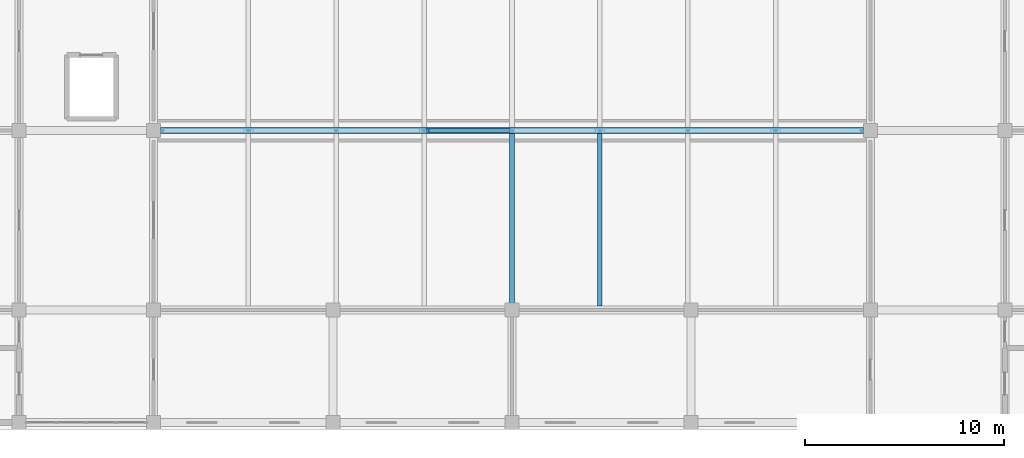
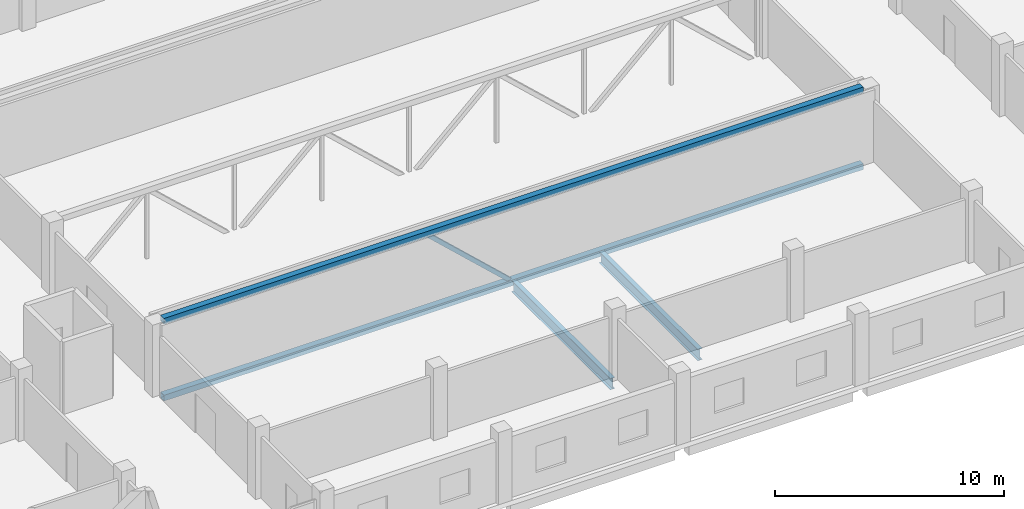
# One storey, part 7 of 42: 3 members, 2 beams.
"""IFC4 building model written with IfcOpenShell, lengths in metres."""

from ifc_helpers import new_model, si_unit, direction, frame, origin, origin_2d, place, context, subcontext, project, spatial, hollow_rectangle, i_section, extrude, material, material_profile, profile_set, type_object, element, save


model = new_model("IFC4")

# Units and contexts
model_context = context("Model", 3, precision=1e-05, world=origin(), true_north=direction((0.0, 1.0)))
body_context = subcontext(model_context, "Body", "Model", "MODEL_VIEW")
ifc_project = project(units=[si_unit("LENGTHUNIT", "METRE"), si_unit("AREAUNIT", "SQUARE_METRE"), si_unit("VOLUMEUNIT", "CUBIC_METRE"), si_unit("PLANEANGLEUNIT", "RADIAN"), si_unit("MASSUNIT", "GRAM", prefix="KILO")], contexts=[model_context])

# Site, building, storey
site_placement = place(None, origin())
site = spatial("IfcSite", under=ifc_project, at=site_placement, CompositionType="ELEMENT")
building_placement = place(site_placement, origin())
building = spatial("IfcBuilding", under=site, at=building_placement, Name="Corbel Stack Research Tower", CompositionType="ELEMENT")
storey_placement = place(building_placement, frame((0.0, 0.0, 11.300048828125)))
storey = spatial("IfcBuildingStorey", under=building, at=storey_placement, Name="L02", CompositionType="ELEMENT", Elevation=11.300048828125)

# Beams
ifc_material_1 = material(Name="Steel S355", Category="steel")
ifc_material_profile_1 = material_profile(ifc_material_1, i_section(OverallWidth=0.22802734375, OverallDepth=0.60302734375, WebThickness=0.010986328125, FlangeThickness=0.014892578125, at=origin_2d()), Name="W24x68")
ifc_profile_set_1 = profile_set([ifc_material_profile_1], Name="Steel S355")
beam_type = type_object("IfcBeamType", Name="HB2 steel beam W24x68", PredefinedType="BEAM", material=ifc_profile_set_1)
for number, where, z_axis, x_axis, name in (
    (1, (68.949951171875, -17.800048828125, -0.551513671875), (0.0, 1.0, 0.0), (-1.0, 0.0, 0.0), "Steel floor beam L02 bay 1 line 4"),
    (2, (73.362548828125, -17.800048828125, -0.551513671875), (0.0, 1.0, 0.0), (-1.0, 0.0, 0.0), "Steel floor beam L02 bay 1 line 5"),
):
    element("IfcBeam", number, at=place(storey_placement, frame(where, z_axis=z_axis, x_axis=x_axis)), inside=storey, type_object=beam_type, Name=name, PredefinedType="BEAM", context=body_context, shape_type="SweptSolid", body=[
        extrude(i_section(OverallWidth=0.22802734375, OverallDepth=0.60302734375, WebThickness=0.010986328125, FlangeThickness=0.014892578125, at=origin_2d()), origin(), (0.0, 0.0, 1.0), 8.6474609375),
    ])

# Members
ifc_material_2 = material(Name="Steel S355", Category="steel")
ifc_material_profile_2 = material_profile(ifc_material_2, hollow_rectangle(XDim=0.304931640625, YDim=0.304931640625, WallThickness=0.014892578125, at=origin_2d()), Name="HSS12x12x5/8")
ifc_profile_set_2 = profile_set([ifc_material_profile_2], Name="Steel S355")
member_type_1 = type_object("IfcMemberType", Name="HT1 truss chord HSS12x12x5/8", PredefinedType="CHORD", material=ifc_profile_set_2)
for number, where, z_axis, x_axis, name in (
    (3, (51.300048828125, -9.0, -0.402587890625), (1.0, 0.0, 0.0), (0.0, 1.0, 0.0), "Truss TA1 bottom chord"),
    (4, (51.300048828125, -9.0, 3.697509765625), (1.0, 0.0, 0.0), (0.0, 1.0, 0.0), "Truss TA1 top chord"),
):
    element("IfcMember", number, at=place(storey_placement, frame(where, z_axis=z_axis, x_axis=x_axis)), inside=storey, type_object=member_type_1, Name=name, PredefinedType="CHORD", context=body_context, shape_type="SweptSolid", body=[
        extrude(hollow_rectangle(XDim=0.304931640625, YDim=0.304931640625, WallThickness=0.014892578125, at=origin_2d()), origin(), (0.0, 0.0, 1.0), 35.300048828125),
    ])
ifc_material_3 = material(Name="Steel S355", Category="steel")
ifc_material_profile_3 = material_profile(ifc_material_3, hollow_rectangle(XDim=0.202880859375, YDim=0.202880859375, WallThickness=0.0087890625, at=origin_2d()), Name="HSS8x8x3/8")
ifc_profile_set_3 = profile_set([ifc_material_profile_3], Name="Steel S355")
member_type_2 = type_object("IfcMemberType", Name="HT2 truss diagonal HSS8x8x3/8", PredefinedType="BRACE", material=ifc_profile_set_3)
member_placement = place(storey_placement, frame((64.70166015625, -9.0, 3.544921875), z_axis=(0.732576659872, 0.0, -0.680684535898), x_axis=(0.0, 1.0, 0.0)))
element("IfcMember", 5, at=member_placement, inside=storey, type_object=member_type_2, Name="Truss TA1 diagonal 4", PredefinedType="BRACE", context=body_context, shape_type="SweptSolid", body=[
    extrude(hollow_rectangle(XDim=0.202880859375, YDim=0.202880859375, WallThickness=0.0087890625, at=origin_2d()), origin(), (0.0, 0.0, 1.0), 5.5751953125),
])

save(model, "model.ifc")
